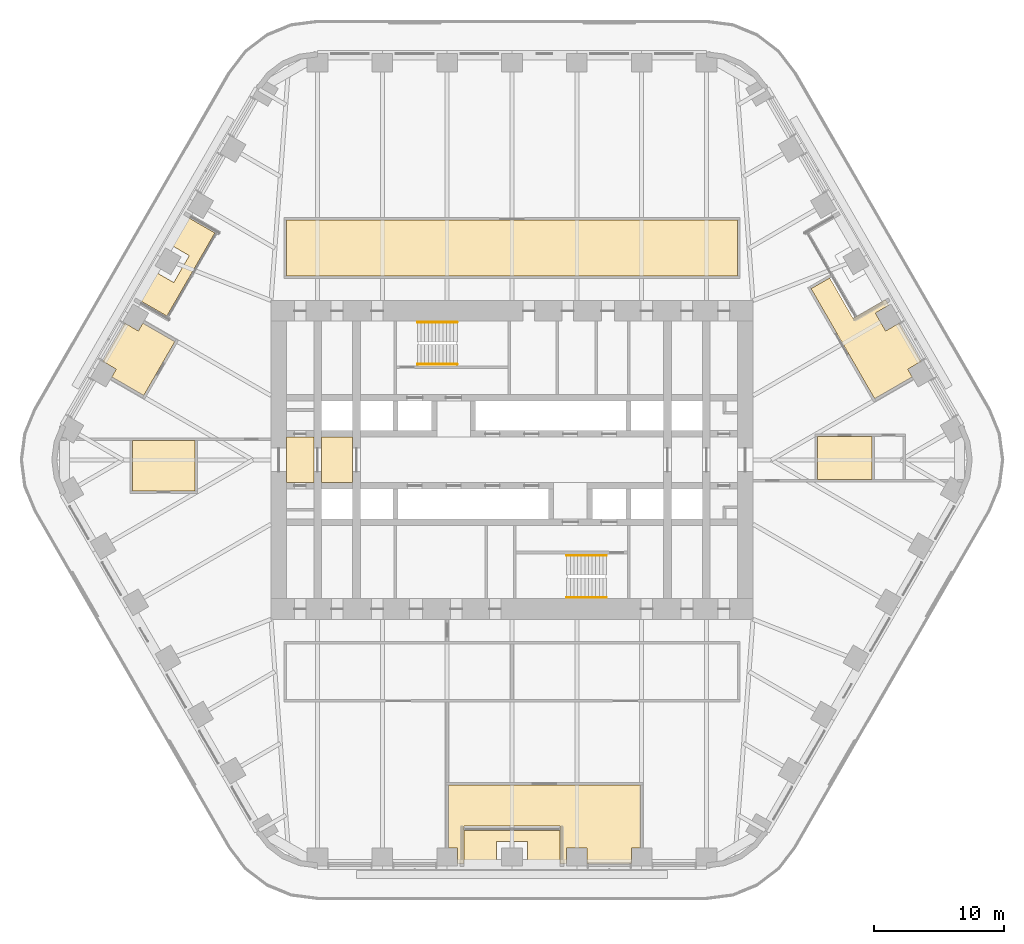
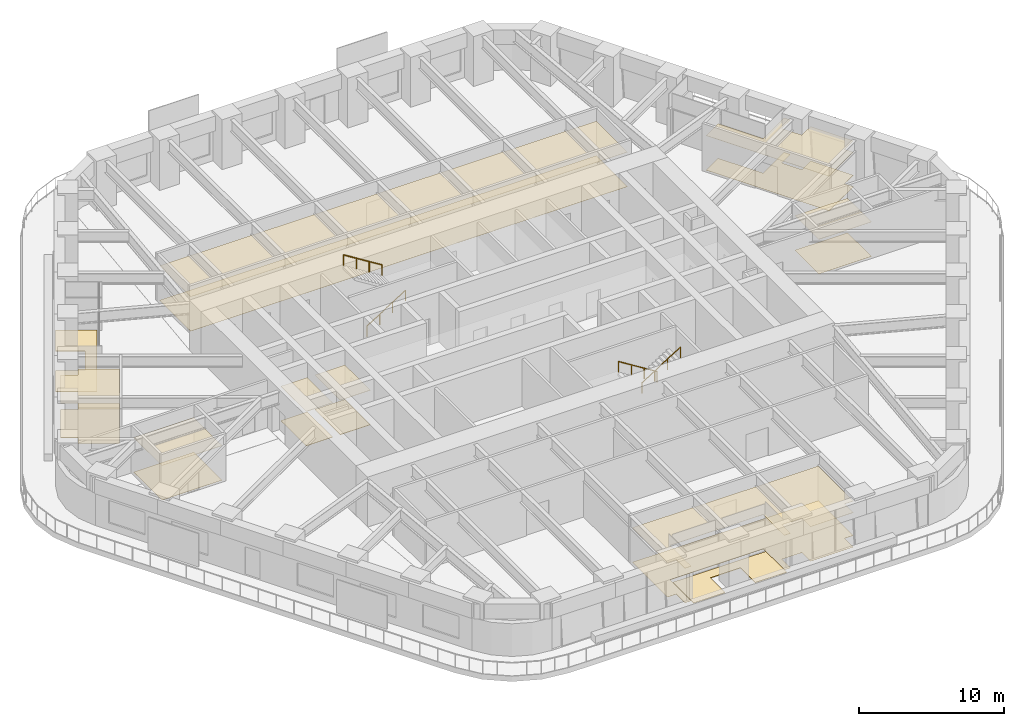
# One storey, part 22 of 24: 8 coverings, 4 railings.
"""IFC4 building model written with IfcOpenShell, lengths in metres."""

import ifcopenshell
import ifcopenshell.guid

model = None  # the IFC model being written
_history = None  # IfcOwnerHistory: only IFC2X3 demands one
_inside = {}  # id of a spatial element -> (the spatial element, [elements in it])
_under = {}  # id of a project, library or spatial element -> (it, [spatial elements below it])
_declared = {}  # id of a project -> (the project, [libraries it declares])
_typed = {}  # id of a type object -> (the type object, [elements of that type])
_made_of = {}  # id of a material, layer set ... -> (it, [elements and type objects made of it])


def new_model(schema):
    """Start an empty IFC model of exactly this schema.

    Asked for "IFC4X3", IfcOpenShell would pick the latest addendum, in which some entities
    have other attributes; the version numbers below select the first issue.
    IFC2X3 requires an IfcOwnerHistory on every rooted entity: one is made here for all.
    """
    global model, _history
    if schema == "IFC4X3":
        model = ifcopenshell.file(schema_version=(4, 3, 0, 0))
    else:
        model = ifcopenshell.file(schema=schema)
    _inside.clear()
    _under.clear()
    _declared.clear()
    _typed.clear()
    _made_of.clear()
    _history = None
    if model.schema == "IFC2X3":
        org = make("IfcOrganization", Name="unknown")
        user = make(
            "IfcPersonAndOrganization",
            ThePerson=make("IfcPerson", FamilyName="unknown"),
            TheOrganization=org,
        )
        app = make(
            "IfcApplication",
            ApplicationDeveloper=org,
            Version="unknown",
            ApplicationFullName="unknown",
            ApplicationIdentifier="unknown",
        )
        _history = make(
            "IfcOwnerHistory",
            OwningUser=user,
            OwningApplication=app,
            ChangeAction="ADDED",
            CreationDate=0,
        )
    return model


def make(cls, **values):
    """One entity of the class cls with the attributes given. An attribute that is None is left unset."""
    return model.create_entity(
        cls, **{name: value for name, value in values.items() if value is not None}
    )


def rooted(cls, **values):
    """An entity with a GlobalId (a new one), such as an element, a storey or a relation."""
    return make(cls, GlobalId=ifcopenshell.guid.new(), OwnerHistory=_history, **values)


def si_unit(unit_type, name, prefix=None):
    """IfcSIUnit, for example si_unit("LENGTHUNIT", "METRE", prefix="MILLI")."""
    return make("IfcSIUnit", UnitType=unit_type, Prefix=prefix, Name=name)


def assignment(units):
    """IfcUnitAssignment: the units of a project."""
    return None if units is None else make("IfcUnitAssignment", Units=units)


def point(xyz):
    """IfcCartesianPoint."""
    return None if xyz is None else make("IfcCartesianPoint", Coordinates=xyz)


def direction(xyz):
    """IfcDirection."""
    return None if xyz is None else make("IfcDirection", DirectionRatios=xyz)


def frame(location, z_axis=None, x_axis=None):
    """IfcAxis2Placement3D, a coordinate frame: its origin and axes. An axis left out is left unset."""
    return make(
        "IfcAxis2Placement3D",
        Location=point(location),
        Axis=direction(z_axis),
        RefDirection=direction(x_axis),
    )


def frame_2d(location, x_axis=None):
    """IfcAxis2Placement2D, a coordinate frame in the plane: its origin and x axis."""
    return make(
        "IfcAxis2Placement2D", Location=point(location), RefDirection=direction(x_axis)
    )


def origin():
    """The frame at (0, 0, 0) with its axes left unset."""
    return frame((0.0, 0.0, 0.0))


def origin_2d():
    """The frame at (0, 0) in the plane with its x axis left unset."""
    return frame_2d((0.0, 0.0))


def place(relative_to, where):
    """IfcLocalPlacement: puts the frame where relative to a parent placement (None: the world)."""
    return make(
        "IfcLocalPlacement", PlacementRelTo=relative_to, RelativePlacement=where
    )


def context(
    kind, dimensions, precision=None, world=None, true_north=None, identifier=None
):
    """IfcGeometricRepresentationContext, for example the 3D "Model" context."""
    return make(
        "IfcGeometricRepresentationContext",
        ContextIdentifier=identifier,
        ContextType=kind,
        CoordinateSpaceDimension=dimensions,
        Precision=precision,
        WorldCoordinateSystem=world,
        TrueNorth=true_north,
    )


def subcontext(parent, identifier, kind, view, scale=None):
    """IfcGeometricRepresentationSubContext, for example "Body" below "Model"."""
    return make(
        "IfcGeometricRepresentationSubContext",
        ContextIdentifier=identifier,
        ContextType=kind,
        ParentContext=parent,
        TargetScale=scale,
        TargetView=view,
    )


def project(units=None, contexts=None):
    """IfcProject with its units and contexts."""
    return rooted(
        "IfcProject",
        Name="project",
        RepresentationContexts=contexts,
        UnitsInContext=assignment(units),
    )


def spatial(cls, under=None, at=None, **own):
    """A site, building, storey or space (cls), placed at a placement, below another one or the project."""
    s = rooted(cls, ObjectPlacement=at, **own)
    if under is not None:
        _under.setdefault(under.id(), (under, []))[1].append(s)
    return s


def polyline(points):
    """IfcPolyline through the points."""
    return make("IfcPolyline", Points=[point(p) for p in points])


def profile(cls, at=None, kind="AREA", **sizes):
    """A parametric profile (cls). Its sizes go by their IFC names, for example OverallWidth=200.0."""
    return make(cls, ProfileType=kind, Position=at, **sizes)


def circle(**sizes):
    """IfcCircleProfileDef."""
    return profile("IfcCircleProfileDef", **sizes)


def outline(outer, holes=None, kind="AREA"):
    """IfcArbitraryClosedProfileDef: a profile drawn as a closed curve; with holes, ...WithVoids."""
    if holes is None:
        return make("IfcArbitraryClosedProfileDef", ProfileType=kind, OuterCurve=outer)
    return make(
        "IfcArbitraryProfileDefWithVoids",
        ProfileType=kind,
        OuterCurve=outer,
        InnerCurves=holes,
    )


def extrude(swept, where, along, depth):
    """IfcExtrudedAreaSolid: the profile swept, set in the frame where, extruded along a direction by depth."""
    return make(
        "IfcExtrudedAreaSolid",
        SweptArea=swept,
        Position=where,
        ExtrudedDirection=direction(along),
        Depth=depth,
    )


def shape(context_of_items, identifier, shape_type, items):
    """IfcShapeRepresentation: the items that make up one representation, for example the "Body"."""
    return make(
        "IfcShapeRepresentation",
        ContextOfItems=context_of_items,
        RepresentationIdentifier=identifier,
        RepresentationType=shape_type,
        Items=items,
    )


def material(Name=None, Category=None):
    """IfcMaterial."""
    return make("IfcMaterial", Name=Name, Category=Category)


def layer(
    of_material, thickness, ventilated=None, Name=None, Category=None, Priority=None
):
    """IfcMaterialLayer: one layer of a wall or slab, of a material (None: an air gap)."""
    return make(
        "IfcMaterialLayer",
        Material=of_material,
        LayerThickness=thickness,
        IsVentilated=ventilated,
        Name=Name,
        Category=Category,
        Priority=Priority,
    )


def layer_set(layers, Name=None):
    """IfcMaterialLayerSet."""
    return make("IfcMaterialLayerSet", MaterialLayers=layers, LayerSetName=Name)


def made_of(thing, what):
    """Note that an element or type object is made of a material, layer set ...; save() writes the relation."""
    if what is not None:
        _made_of.setdefault(what.id(), (what, []))[1].append(thing)
    return thing


def type_object(cls, material=None, **own):
    """A type object (cls), such as IfcWallType, which elements share."""
    return made_of(rooted(cls, **own), material)


def element(
    cls,
    number,
    at=None,
    inside=None,
    cuts=None,
    type_object=None,
    material=None,
    context=None,
    identifier="Body",
    shape_type=None,
    held_by="IfcProductDefinitionShape",
    body=None,
    shapes=None,
    **own,
):
    """One element of the class cls, such as IfcWall. Its Tag is "e" and its number.

    at: its placement. inside: the storey or other place that contains it. cuts: it is an
    opening in that element (IfcRelVoidsElement). A single representation is given by context,
    identifier, shape_type and body (its items); several are given by shapes. held_by: the class
    of the entity that holds the representations. save() writes the other relations.
    """
    e = rooted(cls, Tag="e%d" % number, ObjectPlacement=at, **own)
    if body is not None:
        shapes = [shape(context, identifier, shape_type, body)]
    if shapes is not None:
        e.Representation = make(held_by, Representations=shapes)
    if inside is not None:
        _inside.setdefault(inside.id(), (inside, []))[1].append(e)
    if cuts is not None:
        rooted(
            "IfcRelVoidsElement", RelatingBuildingElement=cuts, RelatedOpeningElement=e
        )
    if type_object is not None:
        _typed.setdefault(type_object.id(), (type_object, []))[1].append(e)
    return made_of(e, material)


def aggregate(whole, parts):
    """IfcRelAggregates: a whole, such as a stair, and the parts it consists of."""
    return rooted("IfcRelAggregates", RelatingObject=whole, RelatedObjects=parts)


def save(model, path):
    """Write the relations noted so far, then the file.

    IfcRelAggregates (storeys below a building ...), IfcRelContainedInSpatialStructure (elements
    in a storey), IfcRelDefinesByType, IfcRelAssociatesMaterial and IfcRelDeclares: one each for
    every whole, place, type object, material and project.
    """
    for whole, parts in _under.values():
        aggregate(whole, parts)
    for where, things in _inside.values():
        rooted(
            "IfcRelContainedInSpatialStructure",
            RelatedElements=things,
            RelatingStructure=where,
        )
    for kind, things in _typed.values():
        rooted("IfcRelDefinesByType", RelatedObjects=things, RelatingType=kind)
    for what, things in _made_of.values():
        rooted("IfcRelAssociatesMaterial", RelatedObjects=things, RelatingMaterial=what)
    for by, libraries in _declared.values():
        rooted("IfcRelDeclares", RelatingContext=by, RelatedDefinitions=libraries)
    model.write(path)


model = new_model("IFC4")

# Units and contexts
model_context = context("Model", 3, precision=1e-05, world=origin(), true_north=direction((0.0, 1.0)))
body_context = subcontext(model_context, "Body", "Model", "MODEL_VIEW")
ifc_project = project(units=[si_unit("LENGTHUNIT", "METRE"), si_unit("AREAUNIT", "SQUARE_METRE"), si_unit("VOLUMEUNIT", "CUBIC_METRE"), si_unit("PLANEANGLEUNIT", "RADIAN"), si_unit("MASSUNIT", "GRAM", prefix="KILO")], contexts=[model_context])

# Site, building, storey
site_placement = place(None, origin())
site = spatial("IfcSite", under=ifc_project, at=site_placement, CompositionType="ELEMENT")
building_placement = place(site_placement, origin())
building = spatial("IfcBuilding", under=site, at=building_placement, Name="Tarfa Lantern Tower", CompositionType="ELEMENT")
storey_placement = place(building_placement, frame((0.0, 0.0, 178.300048828125)))
storey = spatial("IfcBuildingStorey", under=building, at=storey_placement, Name="L40", CompositionType="ELEMENT", Elevation=178.300048828125)

# Coverings
ifc_material_1 = material(Name="Mineral fibre acoustic tile on suspension grid", Category="finish")
ifc_layer_1 = layer(ifc_material_1, 0.02001953125)
ifc_layer_set_1 = layer_set([ifc_layer_1], Name="CL1 ACOUSTIC TILE CEILING 20")
covering_type_1 = type_object("IfcCoveringType", Name="CL1 ACOUSTIC TILE CEILING 20", PredefinedType="CEILING", material=ifc_layer_set_1)
covering_1_placement = place(storey_placement, frame((0.0, 0.0, 2.89990234375)))
element("IfcCovering", 1, at=covering_1_placement, inside=storey, type_object=covering_type_1, Name="Ceiling L40 CL1", PredefinedType="CEILING", context=body_context, shape_type="SweptSolid", body=[
    extrude(outline(polyline([(27.989990234375, 4.719970703125), (23.086181640625, 13.21337890625), (24.51513671875, 14.038330078125), (26.317138671875, 10.91748046875), (28.82861328125, 12.367431640625), (29.07861328125, 11.9345703125), (28.039306640625, 11.33447265625), (28.83935546875, 9.94873046875), (29.878662109375, 10.548828125), (31.580322265625, 7.60107421875), (30.541259765625, 7.001220703125), (30.89111328125, 6.39501953125), (27.989990234375, 4.719970703125)])), origin(), (0.0, 0.0, 1.0), 0.02001953125),
    extrude(outline(polyline([(-28.423095703125, 4.969970703125), (-30.89111328125, 6.39501953125), (-30.541259765625, 7.001220703125), (-31.580322265625, 7.60107421875), (-29.878662109375, 10.548828125), (-28.83935546875, 9.94873046875), (-28.4892578125, 10.55517578125), (-26.021240234375, 9.130126953125), (-28.423095703125, 4.969970703125)])), origin(), (0.0, 0.0, 1.0), 0.02001953125),
    extrude(outline(polyline([(9.907470703125, -25.10009765625), (9.907470703125, -29.949951171875), (9.20751953125, -29.949951171875), (9.20751953125, -31.14990234375), (5.8037109375, -31.14990234375), (5.8037109375, -29.949951171875), (4.20361328125, -29.949951171875), (4.20361328125, -31.14990234375), (3.70361328125, -31.14990234375), (3.70361328125, -28.25), (-3.70361328125, -28.25), (-3.70361328125, -31.14990234375), (-4.20361328125, -31.14990234375), (-4.20361328125, -29.949951171875), (-4.90380859375, -29.949951171875), (-4.90380859375, -25.10009765625), (9.907470703125, -25.10009765625)])), origin(), (0.0, 0.0, 1.0), 0.02001953125),
    extrude(outline(polyline([(27.78271484375, 1.800048828125), (27.78271484375, -1.5), (23.582763671875, -1.5), (23.582763671875, 1.800048828125), (27.78271484375, 1.800048828125)])), origin(), (0.0, 0.0, 1.0), 0.02001953125),
    extrude(outline(polyline([(-29.28271484375, -2.39990234375), (-29.28271484375, 1.5), (-24.482666015625, 1.5), (-24.482666015625, -2.39990234375), (-29.28271484375, -2.39990234375)])), origin(), (0.0, 0.0, 1.0), 0.02001953125),
    extrude(outline(polyline([(-17.39990234375, 18.5), (17.39990234375, 18.5), (17.39990234375, 14.199951171875), (-17.39990234375, 14.199951171875), (-17.39990234375, 18.5)])), origin(), (0.0, 0.0, 1.0), 0.02001953125),
])
ifc_material_2 = material(Name="Powder-coated aluminium panel", Category="aluminium")
ifc_layer_2 = layer(ifc_material_2, 0.030029296875)
ifc_layer_set_2 = layer_set([ifc_layer_2], Name="CL3 METAL PANEL CEILING 30")
covering_type_2 = type_object("IfcCoveringType", Name="CL3 METAL PANEL CEILING 30", PredefinedType="CEILING", material=ifc_layer_set_2)
covering_2_placement = place(storey_placement, frame((0.0, 0.0, 2.89990234375)))
element("IfcCovering", 2, at=covering_2_placement, inside=storey, type_object=covering_type_2, Name="Ceiling L40-01", PredefinedType="CEILING", context=body_context, shape_type="SweptSolid", body=[
    extrude(outline(polyline([(-17.39990234375, -1.75), (-15.300048828125, -1.75), (-15.300048828125, 1.75), (-17.39990234375, 1.75), (-17.39990234375, -1.75)])), origin(), (0.0, 0.0, 1.0), 0.030029296875),
])
covering_3_placement = place(storey_placement, frame((0.0, 0.0, 2.89990234375)))
element("IfcCovering", 3, at=covering_3_placement, inside=storey, type_object=covering_type_2, Name="Ceiling L40-02", PredefinedType="CEILING", context=body_context, shape_type="SweptSolid", body=[
    extrude(outline(polyline([(-14.699951171875, -1.75), (-12.300048828125, -1.75), (-12.300048828125, 1.75), (-14.699951171875, 1.75), (-14.699951171875, -1.75)])), origin(), (0.0, 0.0, 1.0), 0.030029296875),
])
ifc_material_3 = material(Name="Nylon carpet tile", Category="finish")
ifc_layer_3 = layer(ifc_material_3, 0.010009765625)
ifc_layer_set_3 = layer_set([ifc_layer_3], Name="FL1 CARPET TILE 10")
covering_type_3 = type_object("IfcCoveringType", Name="FL1 CARPET TILE 10", PredefinedType="FLOORING", material=ifc_layer_set_3)
covering_4_placement = place(storey_placement, origin())
element("IfcCovering", 4, at=covering_4_placement, inside=storey, type_object=covering_type_3, Name="Floor finish L40 FL1", PredefinedType="FLOORING", context=body_context, shape_type="SweptSolid", body=[
    extrude(outline(polyline([(27.989990234375, 4.719970703125), (23.086181640625, 13.21337890625), (24.51513671875, 14.038330078125), (26.317138671875, 10.91748046875), (28.82861328125, 12.367431640625), (29.07861328125, 11.9345703125), (28.039306640625, 11.33447265625), (28.83935546875, 9.94873046875), (29.878662109375, 10.548828125), (31.580322265625, 7.60107421875), (30.541259765625, 7.001220703125), (30.89111328125, 6.39501953125), (27.989990234375, 4.719970703125)])), origin(), (0.0, 0.0, 1.0), 0.010009765625),
    extrude(outline(polyline([(-28.423095703125, 4.969970703125), (-30.89111328125, 6.39501953125), (-30.541259765625, 7.001220703125), (-31.580322265625, 7.60107421875), (-29.878662109375, 10.548828125), (-28.83935546875, 9.94873046875), (-28.4892578125, 10.55517578125), (-26.021240234375, 9.130126953125), (-28.423095703125, 4.969970703125)])), origin(), (0.0, 0.0, 1.0), 0.010009765625),
    extrude(outline(polyline([(9.907470703125, -25.10009765625), (9.907470703125, -29.949951171875), (9.20751953125, -29.949951171875), (9.20751953125, -31.14990234375), (5.8037109375, -31.14990234375), (5.8037109375, -29.949951171875), (4.20361328125, -29.949951171875), (4.20361328125, -31.14990234375), (3.70361328125, -31.14990234375), (3.70361328125, -28.25), (-3.70361328125, -28.25), (-3.70361328125, -31.14990234375), (-4.20361328125, -31.14990234375), (-4.20361328125, -29.949951171875), (-4.90380859375, -29.949951171875), (-4.90380859375, -25.10009765625), (9.907470703125, -25.10009765625)])), origin(), (0.0, 0.0, 1.0), 0.010009765625),
    extrude(outline(polyline([(27.78271484375, 1.800048828125), (27.78271484375, -1.5), (23.582763671875, -1.5), (23.582763671875, 1.800048828125), (27.78271484375, 1.800048828125)])), origin(), (0.0, 0.0, 1.0), 0.010009765625),
    extrude(outline(polyline([(-29.28271484375, -2.39990234375), (-29.28271484375, 1.5), (-24.482666015625, 1.5), (-24.482666015625, -2.39990234375), (-29.28271484375, -2.39990234375)])), origin(), (0.0, 0.0, 1.0), 0.010009765625),
    extrude(outline(polyline([(-17.39990234375, 18.5), (17.39990234375, 18.5), (17.39990234375, 14.199951171875), (-17.39990234375, 14.199951171875), (-17.39990234375, 18.5)])), origin(), (0.0, 0.0, 1.0), 0.010009765625),
])
ifc_material_4 = material(Name="Honed limestone flooring", Category="masonry")
ifc_layer_4 = layer(ifc_material_4, 0.030029296875)
ifc_layer_set_4 = layer_set([ifc_layer_4], Name="FL2 STONE FLOORING 30")
covering_type_4 = type_object("IfcCoveringType", Name="FL2 STONE FLOORING 30", PredefinedType="FLOORING", material=ifc_layer_set_4)
covering_5_placement = place(storey_placement, origin())
element("IfcCovering", 5, at=covering_5_placement, inside=storey, type_object=covering_type_4, Name="Floor finish L40-01", PredefinedType="FLOORING", context=body_context, shape_type="SweptSolid", body=[
    extrude(outline(polyline([(-17.39990234375, -1.75), (-15.300048828125, -1.75), (-15.300048828125, 1.75), (-17.39990234375, 1.75), (-17.39990234375, -1.75)])), origin(), (0.0, 0.0, 1.0), 0.030029296875),
])
covering_6_placement = place(storey_placement, origin())
element("IfcCovering", 6, at=covering_6_placement, inside=storey, type_object=covering_type_4, Name="Floor finish L40-02", PredefinedType="FLOORING", context=body_context, shape_type="SweptSolid", body=[
    extrude(outline(polyline([(-14.699951171875, -1.75), (-12.300048828125, -1.75), (-12.300048828125, 1.75), (-14.699951171875, 1.75), (-14.699951171875, -1.75)])), origin(), (0.0, 0.0, 1.0), 0.030029296875),
])

# Railings
ifc_material_5 = material(Name="Stainless steel", Category="steel")
railing_type = type_object("IfcRailingType", Name="HR1 HANDRAIL 900", PredefinedType="HANDRAIL", material=ifc_material_5)
railing_1_placement = place(storey_placement, frame((-7.300048828125, 7.3798828125, 0.175048828125)))
element("IfcRailing", 7, at=railing_1_placement, inside=storey, type_object=railing_type, Name="Handrail 1", PredefinedType="HANDRAIL", context=body_context, shape_type="SweptSolid", body=[
    extrude(circle(Radius=0.02392578125, at=origin_2d()), frame((0.0, 0.0, 0.8759765625), z_axis=(0.848028513186, 0.0, 0.529950602248), x_axis=(0.0, 1.0, 0.0)), (0.0, 0.0, 1.0), 3.632080078125),
    extrude(circle(Radius=0.02099609375, at=origin_2d()), frame((0.0, 0.0, 0.0), z_axis=(0.0, 0.0, 1.0), x_axis=(0.0, 1.0, 0.0)), (0.0, 0.0, 1.0), 0.851806640625),
    extrude(circle(Radius=0.02099609375, at=origin_2d()), frame((1.026611328125, 0.0, 0.6416015625), z_axis=(0.0, 0.0, 1.0), x_axis=(0.0, 1.0, 0.0)), (0.0, 0.0, 1.0), 0.851806640625),
    extrude(circle(Radius=0.02099609375, at=origin_2d()), frame((2.053466796875, 0.0, 1.283203125), z_axis=(0.0, 0.0, 1.0), x_axis=(0.0, 1.0, 0.0)), (0.0, 0.0, 1.0), 0.851806640625),
    extrude(circle(Radius=0.02099609375, at=origin_2d()), frame((3.080078125, 0.0, 1.9248046875), z_axis=(0.0, 0.0, 1.0), x_axis=(0.0, 1.0, 0.0)), (0.0, 0.0, 1.0), 0.851806640625),
])
railing_2_placement = place(storey_placement, frame((-4.219970703125, 10.6201171875, 2.27490234375)))
element("IfcRailing", 8, at=railing_2_placement, inside=storey, type_object=railing_type, Name="Handrail 2", PredefinedType="HANDRAIL", context=body_context, shape_type="SweptSolid", body=[
    extrude(circle(Radius=0.02392578125, at=origin_2d()), frame((0.0, 0.0, 0.8759765625), z_axis=(-0.847998304005, 0.0, 0.529998940003), x_axis=(0.0, -1.0, 0.0)), (0.0, 0.0, 1.0), 3.632080078125),
    extrude(circle(Radius=0.02099609375, at=origin_2d()), frame((0.0, 0.0, 0.0), z_axis=(0.0, 0.0, 1.0), x_axis=(0.0, -1.0, 0.0)), (0.0, 0.0, 1.0), 0.851806640625),
    extrude(circle(Radius=0.02099609375, at=origin_2d()), frame((-1.026611328125, 0.0, 0.6416015625), z_axis=(0.0, 0.0, 1.0), x_axis=(0.0, -1.0, 0.0)), (0.0, 0.0, 1.0), 0.851806640625),
    extrude(circle(Radius=0.02099609375, at=origin_2d()), frame((-2.053466796875, 0.0, 1.283447265625), z_axis=(0.0, 0.0, 1.0), x_axis=(0.0, -1.0, 0.0)), (0.0, 0.0, 1.0), 0.851806640625),
    extrude(circle(Radius=0.02099609375, at=origin_2d()), frame((-3.080078125, 0.0, 1.925048828125), z_axis=(0.0, 0.0, 1.0), x_axis=(0.0, -1.0, 0.0)), (0.0, 0.0, 1.0), 0.851806640625),
])
railing_3_placement = place(storey_placement, frame((7.300048828125, -7.3798828125, 0.175048828125)))
element("IfcRailing", 9, at=railing_3_placement, inside=storey, type_object=railing_type, Name="Handrail 1", PredefinedType="HANDRAIL", context=body_context, shape_type="SweptSolid", body=[
    extrude(circle(Radius=0.02392578125, at=origin_2d()), frame((0.0, 0.0, 0.8759765625), z_axis=(-0.848028513186, 0.0, 0.529950602248), x_axis=(0.0, -1.0, 0.0)), (0.0, 0.0, 1.0), 3.632080078125),
    extrude(circle(Radius=0.02099609375, at=origin_2d()), frame((0.0, 0.0, 0.0), z_axis=(0.0, 0.0, 1.0), x_axis=(0.0, -1.0, 0.0)), (0.0, 0.0, 1.0), 0.851806640625),
    extrude(circle(Radius=0.02099609375, at=origin_2d()), frame((-1.026611328125, 0.0, 0.6416015625), z_axis=(0.0, 0.0, 1.0), x_axis=(0.0, -1.0, 0.0)), (0.0, 0.0, 1.0), 0.851806640625),
    extrude(circle(Radius=0.02099609375, at=origin_2d()), frame((-2.053466796875, 0.0, 1.283203125), z_axis=(0.0, 0.0, 1.0), x_axis=(0.0, -1.0, 0.0)), (0.0, 0.0, 1.0), 0.851806640625),
    extrude(circle(Radius=0.02099609375, at=origin_2d()), frame((-3.080078125, 0.0, 1.9248046875), z_axis=(0.0, 0.0, 1.0), x_axis=(0.0, -1.0, 0.0)), (0.0, 0.0, 1.0), 0.851806640625),
])
railing_4_placement = place(storey_placement, frame((4.219970703125, -10.6201171875, 2.27490234375)))
element("IfcRailing", 10, at=railing_4_placement, inside=storey, type_object=railing_type, Name="Handrail 2", PredefinedType="HANDRAIL", context=body_context, shape_type="SweptSolid", body=[
    extrude(circle(Radius=0.02392578125, at=origin_2d()), frame((0.0, 0.0, 0.8759765625), z_axis=(0.847998304005, 0.0, 0.529998940003), x_axis=(0.0, 1.0, 0.0)), (0.0, 0.0, 1.0), 3.632080078125),
    extrude(circle(Radius=0.02099609375, at=origin_2d()), frame((0.0, 0.0, 0.0), z_axis=(0.0, 0.0, 1.0), x_axis=(0.0, 1.0, 0.0)), (0.0, 0.0, 1.0), 0.851806640625),
    extrude(circle(Radius=0.02099609375, at=origin_2d()), frame((1.026611328125, 0.0, 0.6416015625), z_axis=(0.0, 0.0, 1.0), x_axis=(0.0, 1.0, 0.0)), (0.0, 0.0, 1.0), 0.851806640625),
    extrude(circle(Radius=0.02099609375, at=origin_2d()), frame((2.053466796875, 0.0, 1.283447265625), z_axis=(0.0, 0.0, 1.0), x_axis=(0.0, 1.0, 0.0)), (0.0, 0.0, 1.0), 0.851806640625),
    extrude(circle(Radius=0.02099609375, at=origin_2d()), frame((3.080078125, 0.0, 1.925048828125), z_axis=(0.0, 0.0, 1.0), x_axis=(0.0, 1.0, 0.0)), (0.0, 0.0, 1.0), 0.851806640625),
])

# Coverings
ifc_material_6 = material(Name="Porcelain pavers on pedestals", Category="ceramic")
ifc_layer_5 = layer(ifc_material_6, 0.0400390625)
ifc_layer_set_5 = layer_set([ifc_layer_5], Name="LP1 LOGGIA PAVING 40")
covering_type_5 = type_object("IfcCoveringType", Name="LP1 LOGGIA PAVING 40", PredefinedType="FLOORING", material=ifc_layer_set_5)
covering_7_placement = place(storey_placement, origin())
element("IfcCovering", 11, at=covering_7_placement, inside=storey, type_object=covering_type_5, Name="Loggia paving NW", PredefinedType="FLOORING", context=body_context, shape_type="SweptSolid", body=[
    extrude(outline(polyline([(-25.427978515625, 18.95751953125), (-22.933837890625, 17.517578125), (-26.637451171875, 11.1025390625), (-29.131591796875, 12.54248046875), (-27.8798828125, 14.710693359375), (-26.1044921875, 13.685791015625), (-24.904541015625, 15.76416015625), (-26.6796875, 16.789306640625), (-25.427978515625, 18.95751953125)])), origin(), (0.0, 0.0, 1.0), 0.0400390625),
])
covering_8_placement = place(storey_placement, origin())
element("IfcCovering", 12, at=covering_8_placement, inside=storey, type_object=covering_type_5, Name="Loggia paving S", PredefinedType="FLOORING", context=body_context, shape_type="SweptSolid", body=[
    extrude(outline(polyline([(-3.70361328125, -31.5), (-3.70361328125, -28.6201171875), (3.70361328125, -28.6201171875), (3.70361328125, -31.5), (1.199951171875, -31.5), (1.199951171875, -29.449951171875), (-1.199951171875, -29.449951171875), (-1.199951171875, -31.5), (-3.70361328125, -31.5)])), origin(), (0.0, 0.0, 1.0), 0.0400390625),
])

save(model, "model.ifc")
